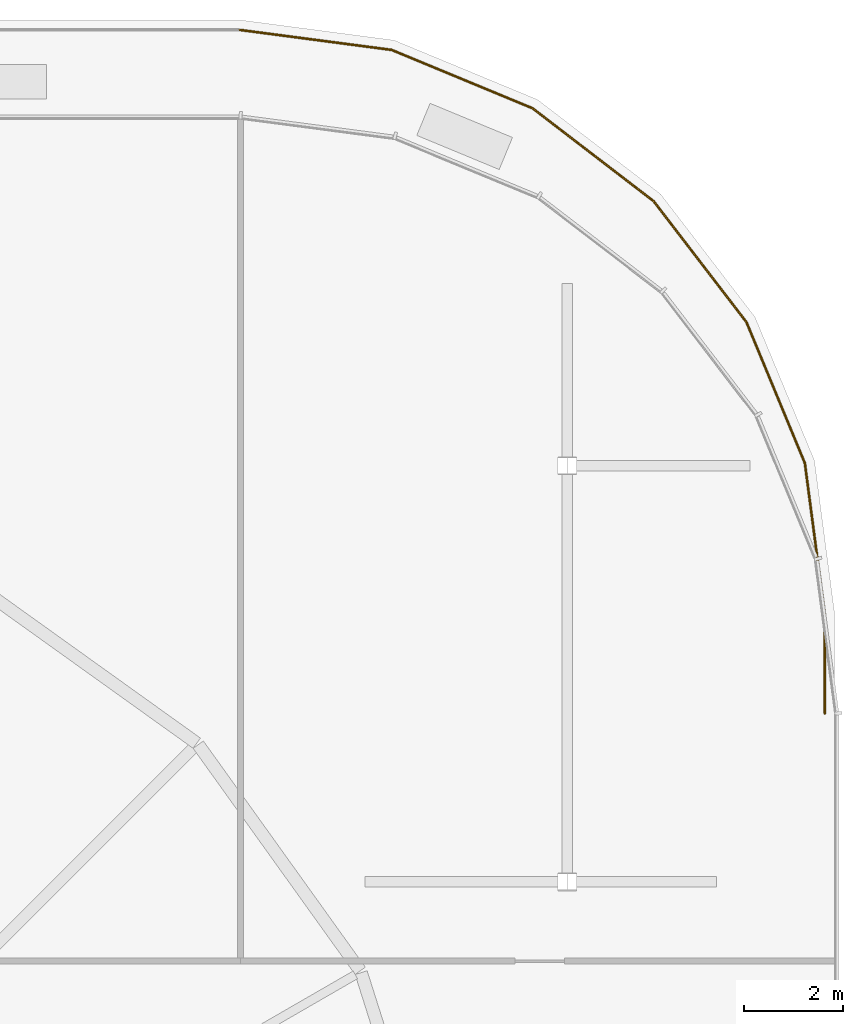
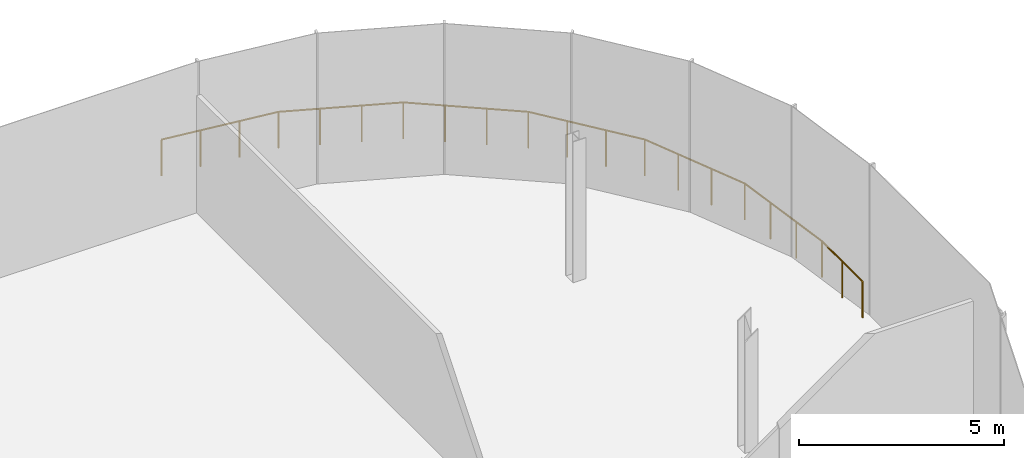
# One storey, part 51 of 52: 1 railing.
"""IFC4 building model written with IfcOpenShell, lengths in metres."""

from ifc_helpers import new_model, si_unit, direction, frame, origin, origin_2d, place, context, subcontext, project, spatial, circle, extrude, material, type_object, element, save


model = new_model("IFC4")

# Units and contexts
model_context = context("Model", 3, precision=1e-05, world=origin(), true_north=direction((0.0, 1.0)))
body_context = subcontext(model_context, "Body", "Model", "MODEL_VIEW")
ifc_project = project(units=[si_unit("LENGTHUNIT", "METRE"), si_unit("AREAUNIT", "SQUARE_METRE"), si_unit("VOLUMEUNIT", "CUBIC_METRE"), si_unit("PLANEANGLEUNIT", "RADIAN"), si_unit("MASSUNIT", "GRAM", prefix="KILO")], contexts=[model_context])

# Site, building, storey
site_placement = place(None, origin())
site = spatial("IfcSite", under=ifc_project, at=site_placement, CompositionType="ELEMENT")
building_placement = place(site_placement, origin())
building = spatial("IfcBuilding", under=site, at=building_placement, Name="Rimbun Link Towers", CompositionType="ELEMENT")
storey_placement = place(building_placement, frame((0.0, 0.0, 21.0)))
storey = spatial("IfcBuildingStorey", under=building, at=storey_placement, Name="L04", CompositionType="ELEMENT", Elevation=21.0)

# Railing
ifc_material = material(Name="Toughened laminated glass, stainless steel grade 316 posts and cap rail", Category="steel")
railing_type = type_object("IfcRailingType", Name="GUARD glass balustrade with stainless cap rail", PredefinedType="BALUSTRADE", material=ifc_material)
railing_placement = place(storey_placement, frame((59.800048828125, 16.0, 0.0)))
element("IfcRailing", 1, at=railing_placement, inside=storey, type_object=railing_type, Name="GUARD glass balustrade", PredefinedType="BALUSTRADE", context=body_context, shape_type="SweptSolid", body=[
    extrude(circle(Radius=0.02392578125, at=origin_2d()), frame((0.0, 0.0, 1.076171875), z_axis=(0.0, 1.0, 0.0), x_axis=(-1.0, 0.0, 0.0)), (0.0, 0.0, 1.0), 1.98681640625),
    extrude(circle(Radius=0.02392578125, at=origin_2d()), frame((0.0, 1.98681640625, 1.076171875), z_axis=(-0.130540259305, 0.991443009305, 0.0), x_axis=(-0.991443009305, -0.130540259305, 0.0)), (0.0, 0.0, 1.0), 3.09326171875),
    extrude(circle(Radius=0.02392578125, at=origin_2d()), frame((-0.40380859375, 5.0537109375, 1.076171875), z_axis=(-0.382706499462, 0.92386997747, 0.0), x_axis=(-0.92386997747, -0.382706499462, 0.0)), (0.0, 0.0, 1.0), 3.079833984375),
    extrude(circle(Radius=0.02392578125, at=origin_2d()), frame((-1.58251953125, 7.899169921875, 1.076171875), z_axis=(-0.608702762794, 0.793398353015, 0.0), x_axis=(-0.793398353015, -0.608702762794, 0.0)), (0.0, 0.0, 1.0), 3.079833984375),
    extrude(circle(Radius=0.02392578125, at=origin_2d()), frame((-3.457275390625, 10.3427734375, 1.076171875), z_axis=(-0.793398353015, 0.608702762794, 0.0), x_axis=(-0.608702762794, -0.793398353015, 0.0)), (0.0, 0.0, 1.0), 3.079833984375),
    extrude(circle(Radius=0.02392578125, at=origin_2d()), frame((-5.90087890625, 12.217529296875, 1.076171875), z_axis=(-0.92386997747, 0.382706499462, 0.0), x_axis=(-0.382706499462, -0.92386997747, 0.0)), (0.0, 0.0, 1.0), 3.079833984375),
    extrude(circle(Radius=0.02392578125, at=origin_2d()), frame((-8.746337890625, 13.396240234375, 1.076171875), z_axis=(-0.991443009305, 0.130540259305, 0.0), x_axis=(-0.130540259305, -0.991443009305, 0.0)), (0.0, 0.0, 1.0), 3.09326171875),
    extrude(circle(Radius=0.02099609375, at=origin_2d()), origin(), (0.0, 0.0, 1.0), 1.052001953125),
    extrude(circle(Radius=0.02099609375, at=origin_2d()), frame((0.0, 0.993408203125, 0.0)), (0.0, 0.0, 1.0), 1.052001953125),
    extrude(circle(Radius=0.02099609375, at=origin_2d()), frame((0.0, 1.98681640625, 0.0)), (0.0, 0.0, 1.0), 1.052001953125),
    extrude(circle(Radius=0.02099609375, at=origin_2d()), frame((-0.134521484375, 3.009033203125, 0.0)), (0.0, 0.0, 1.0), 1.052001953125),
    extrude(circle(Radius=0.02099609375, at=origin_2d()), frame((-0.269287109375, 4.031494140625, 0.0)), (0.0, 0.0, 1.0), 1.052001953125),
    extrude(circle(Radius=0.02099609375, at=origin_2d()), frame((-0.40380859375, 5.0537109375, 0.0)), (0.0, 0.0, 1.0), 1.052001953125),
    extrude(circle(Radius=0.02099609375, at=origin_2d()), frame((-0.796630859375, 6.002197265625, 0.0)), (0.0, 0.0, 1.0), 1.052001953125),
    extrude(circle(Radius=0.02099609375, at=origin_2d()), frame((-1.189697265625, 6.95068359375, 0.0)), (0.0, 0.0, 1.0), 1.052001953125),
    extrude(circle(Radius=0.02099609375, at=origin_2d()), frame((-1.58251953125, 7.899169921875, 0.0)), (0.0, 0.0, 1.0), 1.052001953125),
    extrude(circle(Radius=0.02099609375, at=origin_2d()), frame((-2.20751953125, 8.713623046875, 0.0)), (0.0, 0.0, 1.0), 1.052001953125),
    extrude(circle(Radius=0.02099609375, at=origin_2d()), frame((-2.832275390625, 9.5283203125, 0.0)), (0.0, 0.0, 1.0), 1.052001953125),
    extrude(circle(Radius=0.02099609375, at=origin_2d()), frame((-3.457275390625, 10.3427734375, 0.0)), (0.0, 0.0, 1.0), 1.052001953125),
    extrude(circle(Radius=0.02099609375, at=origin_2d()), frame((-4.271728515625, 10.9677734375, 0.0)), (0.0, 0.0, 1.0), 1.052001953125),
    extrude(circle(Radius=0.02099609375, at=origin_2d()), frame((-5.08642578125, 11.592529296875, 0.0)), (0.0, 0.0, 1.0), 1.052001953125),
    extrude(circle(Radius=0.02099609375, at=origin_2d()), frame((-5.90087890625, 12.217529296875, 0.0)), (0.0, 0.0, 1.0), 1.052001953125),
    extrude(circle(Radius=0.02099609375, at=origin_2d()), frame((-6.849365234375, 12.6103515625, 0.0)), (0.0, 0.0, 1.0), 1.052001953125),
    extrude(circle(Radius=0.02099609375, at=origin_2d()), frame((-7.7978515625, 13.00341796875, 0.0)), (0.0, 0.0, 1.0), 1.052001953125),
    extrude(circle(Radius=0.02099609375, at=origin_2d()), frame((-8.746337890625, 13.396240234375, 0.0)), (0.0, 0.0, 1.0), 1.052001953125),
    extrude(circle(Radius=0.02099609375, at=origin_2d()), frame((-9.7685546875, 13.53076171875, 0.0)), (0.0, 0.0, 1.0), 1.052001953125),
    extrude(circle(Radius=0.02099609375, at=origin_2d()), frame((-10.791015625, 13.66552734375, 0.0)), (0.0, 0.0, 1.0), 1.052001953125),
    extrude(circle(Radius=0.02099609375, at=origin_2d()), frame((-11.813232421875, 13.800048828125, 0.0)), (0.0, 0.0, 1.0), 1.052001953125),
])

save(model, "model.ifc")
